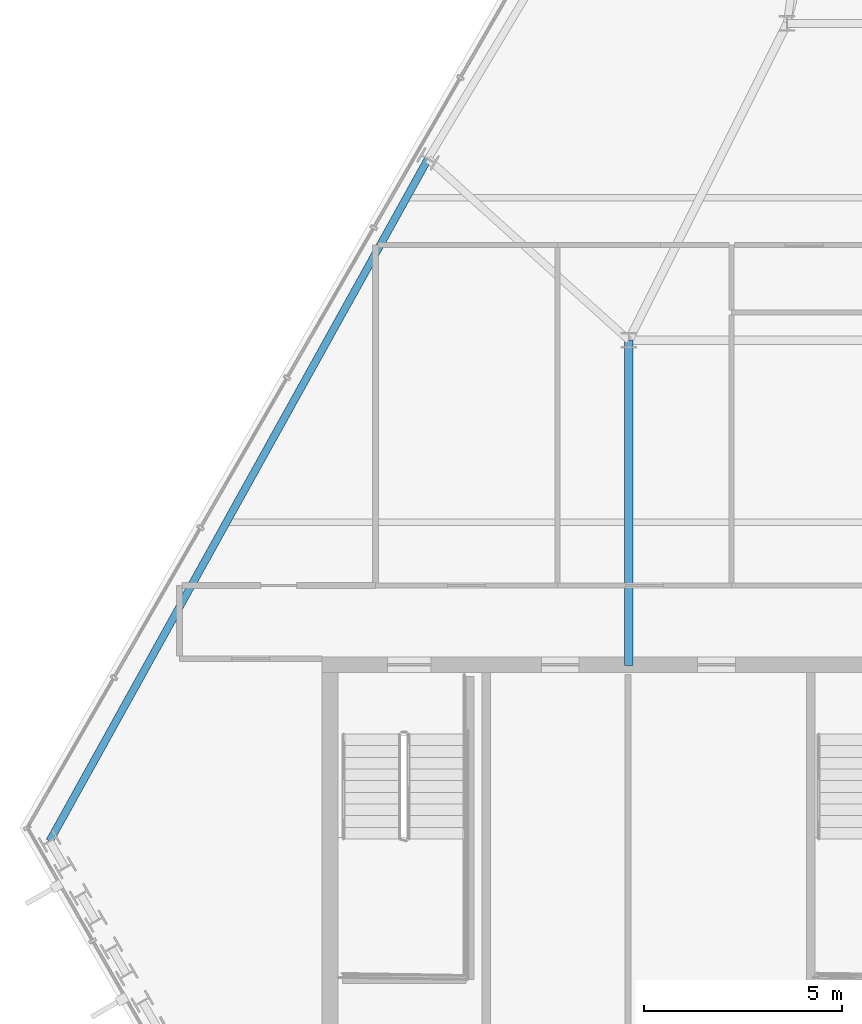
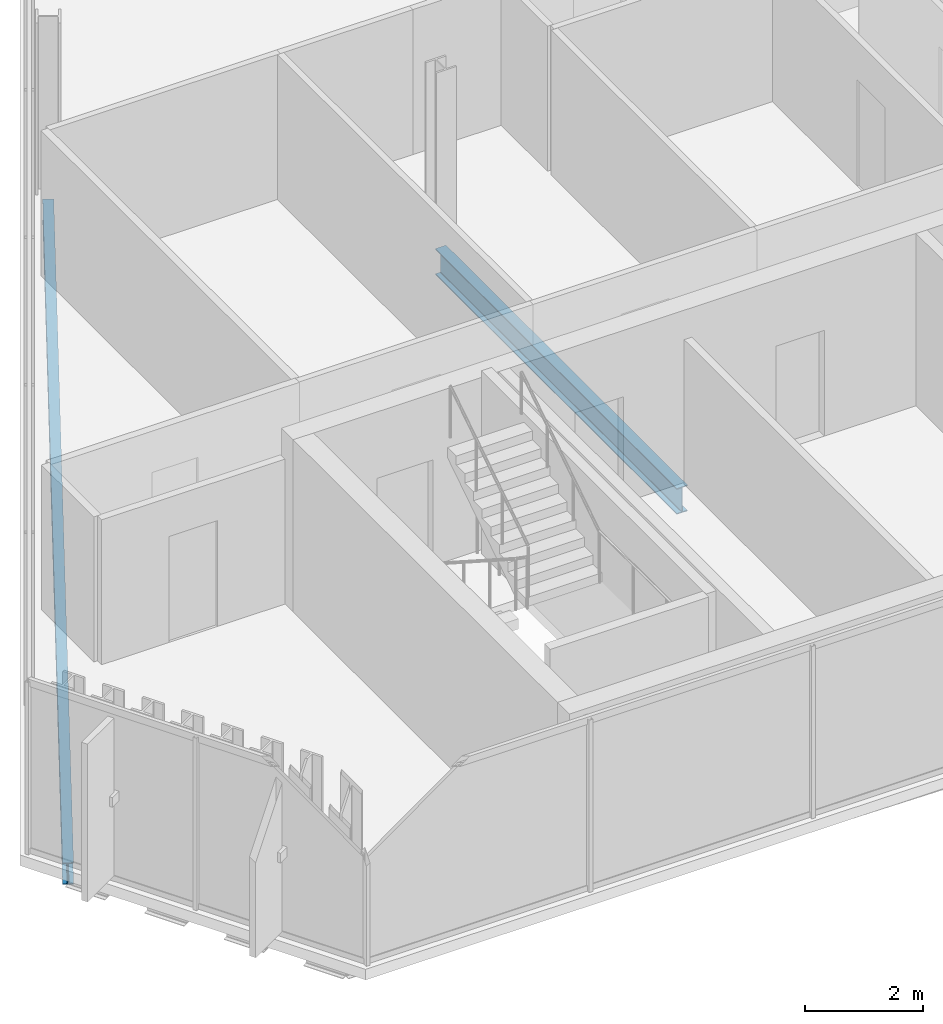
# One storey, part 5 of 29: 2 beams.
"""IFC4 building model written with IfcOpenShell, lengths in metres."""

from ifc_helpers import new_model, si_unit, direction, frame, origin, origin_2d, place, context, subcontext, project, spatial, i_section, extrude, material, material_profile, profile_set, type_object, element, save


model = new_model("IFC4")

# Units and contexts
model_context = context("Model", 3, precision=1e-05, world=origin(), true_north=direction((0.0, 1.0)))
body_context = subcontext(model_context, "Body", "Model", "MODEL_VIEW")
ifc_project = project(units=[si_unit("LENGTHUNIT", "METRE"), si_unit("AREAUNIT", "SQUARE_METRE"), si_unit("VOLUMEUNIT", "CUBIC_METRE"), si_unit("PLANEANGLEUNIT", "RADIAN"), si_unit("MASSUNIT", "GRAM", prefix="KILO")], contexts=[model_context])

# Site, building, storey
site_placement = place(None, origin())
site = spatial("IfcSite", under=ifc_project, at=site_placement, CompositionType="ELEMENT")
building_placement = place(site_placement, origin())
building = spatial("IfcBuilding", under=site, at=building_placement, Name="Ndaravel Arena Tower", CompositionType="ELEMENT")
storey_placement = place(building_placement, frame((0.0, 0.0, 244.60009765625)))
storey = spatial("IfcBuildingStorey", under=building, at=storey_placement, Name="L59", CompositionType="ELEMENT", Elevation=244.60009765625)

# Beams
ifc_material_1 = material(Name="Steel S355", Category="steel")
ifc_material_profile_1 = material_profile(ifc_material_1, i_section(OverallWidth=0.210693359375, OverallDepth=0.53955078125, WebThickness=0.01171875, FlangeThickness=0.018798828125, FilletRadius=0.0126953125, at=origin_2d()), Name="UB 533x210x109")
ifc_profile_set_1 = profile_set([ifc_material_profile_1], Name="Steel S355")
beam_type_1 = type_object("IfcBeamType", Name="BM-GIRD-UB533", PredefinedType="BEAM", material=ifc_profile_set_1)
beam_1_placement = place(storey_placement, frame((34.199951171875, 14.97998046875, -0.48974609375), z_axis=(0.0, 1.0, 0.0), x_axis=(-1.0, 0.0, 0.0)))
element("IfcBeam", 1, at=beam_1_placement, inside=storey, type_object=beam_type_1, Name="L59 Spine Link Girder SLG-01", PredefinedType="BEAM", context=body_context, shape_type="SweptSolid", body=[
    extrude(i_section(OverallWidth=0.210693359375, OverallDepth=0.53955078125, WebThickness=0.01171875, FlangeThickness=0.018798828125, FilletRadius=0.0126953125, at=origin_2d()), origin(), (0.0, 0.0, 1.0), 8.219970703125),
])
ifc_material_2 = material(Name="Steel S355", Category="steel")
ifc_material_profile_2 = material_profile(ifc_material_2, i_section(OverallWidth=0.18994140625, OverallDepth=0.449951171875, WebThickness=0.009521484375, FlangeThickness=0.0146484375, FilletRadius=0.02099609375, at=origin_2d()), Name="IPE 450")
ifc_profile_set_2 = profile_set([ifc_material_profile_2], Name="Steel S355")
beam_type_2 = type_object("IfcBeamType", Name="BM-SPAN-IPE450", PredefinedType="SPANDREL", material=ifc_profile_set_2)
beam_2_placement = place(storey_placement, frame((29.12744140625, 27.77587890625, -0.445068359375), z_axis=(-0.485083189334, -0.874468009378, 0.0), x_axis=(0.874468009378, -0.485083189334, 0.0)))
element("IfcBeam", 2, at=beam_2_placement, inside=storey, type_object=beam_type_2, Name="L59 Perimeter Spandrel Beam SP-19", PredefinedType="SPANDREL", context=body_context, shape_type="SweptSolid", body=[
    extrude(i_section(OverallWidth=0.18994140625, OverallDepth=0.449951171875, WebThickness=0.009521484375, FlangeThickness=0.0146484375, FilletRadius=0.02099609375, at=origin_2d()), origin(), (0.0, 0.0, 1.0), 19.705078125),
])

save(model, "model.ifc")
